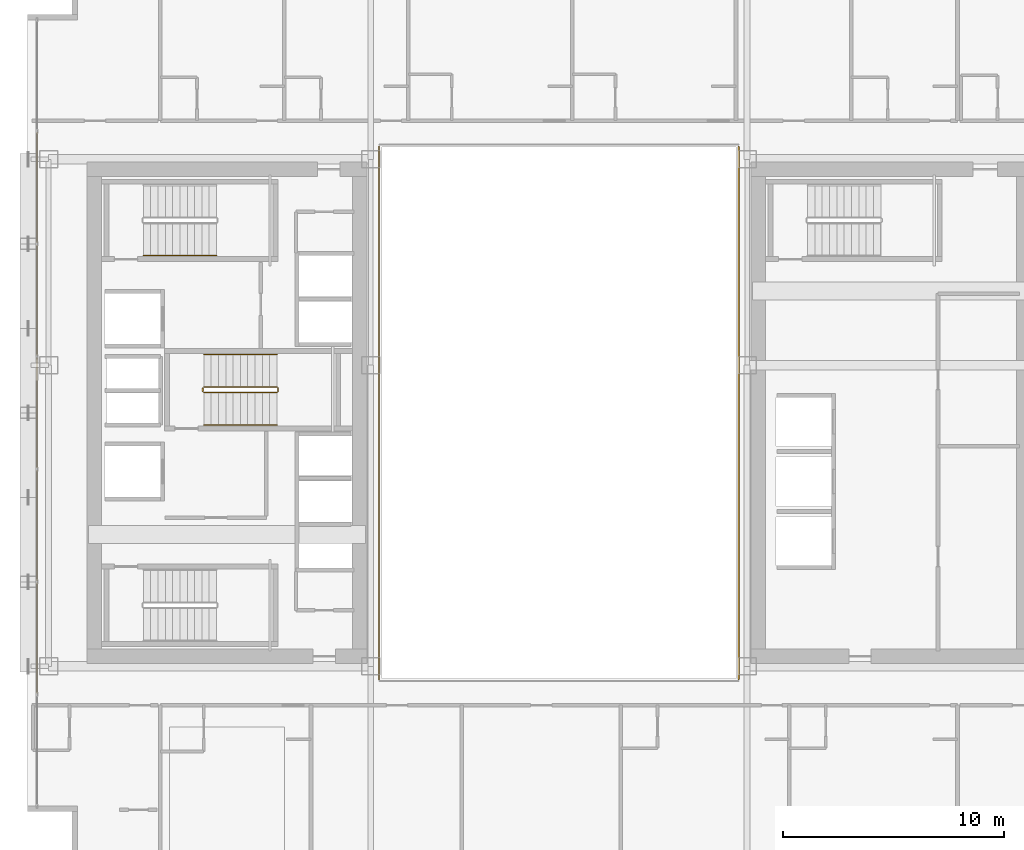
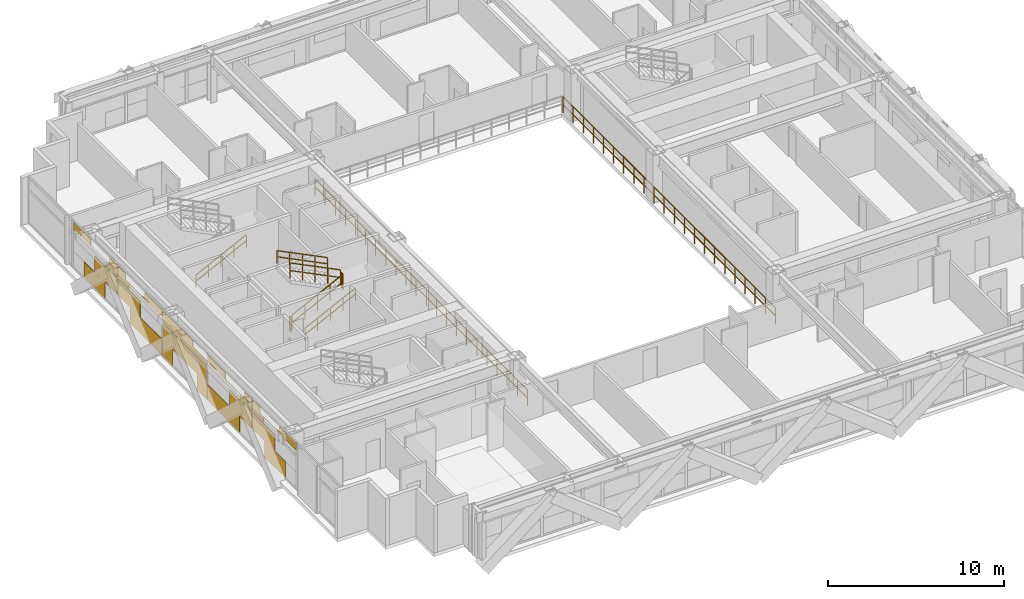
# One storey, part 34 of 36: 9 railings, 1 covering.
"""IFC4 building model written with IfcOpenShell, lengths in metres."""

import ifcopenshell
import ifcopenshell.guid

model = None  # the IFC model being written
_history = None  # IfcOwnerHistory: only IFC2X3 demands one
_inside = {}  # id of a spatial element -> (the spatial element, [elements in it])
_under = {}  # id of a project, library or spatial element -> (it, [spatial elements below it])
_declared = {}  # id of a project -> (the project, [libraries it declares])
_typed = {}  # id of a type object -> (the type object, [elements of that type])
_made_of = {}  # id of a material, layer set ... -> (it, [elements and type objects made of it])


def new_model(schema):
    """Start an empty IFC model of exactly this schema.

    Asked for "IFC4X3", IfcOpenShell would pick the latest addendum, in which some entities
    have other attributes; the version numbers below select the first issue.
    IFC2X3 requires an IfcOwnerHistory on every rooted entity: one is made here for all.
    """
    global model, _history
    if schema == "IFC4X3":
        model = ifcopenshell.file(schema_version=(4, 3, 0, 0))
    else:
        model = ifcopenshell.file(schema=schema)
    _inside.clear()
    _under.clear()
    _declared.clear()
    _typed.clear()
    _made_of.clear()
    _history = None
    if model.schema == "IFC2X3":
        org = make("IfcOrganization", Name="unknown")
        user = make(
            "IfcPersonAndOrganization",
            ThePerson=make("IfcPerson", FamilyName="unknown"),
            TheOrganization=org,
        )
        app = make(
            "IfcApplication",
            ApplicationDeveloper=org,
            Version="unknown",
            ApplicationFullName="unknown",
            ApplicationIdentifier="unknown",
        )
        _history = make(
            "IfcOwnerHistory",
            OwningUser=user,
            OwningApplication=app,
            ChangeAction="ADDED",
            CreationDate=0,
        )
    return model


def make(cls, **values):
    """One entity of the class cls with the attributes given. An attribute that is None is left unset."""
    return model.create_entity(
        cls, **{name: value for name, value in values.items() if value is not None}
    )


def rooted(cls, **values):
    """An entity with a GlobalId (a new one), such as an element, a storey or a relation."""
    return make(cls, GlobalId=ifcopenshell.guid.new(), OwnerHistory=_history, **values)


def si_unit(unit_type, name, prefix=None):
    """IfcSIUnit, for example si_unit("LENGTHUNIT", "METRE", prefix="MILLI")."""
    return make("IfcSIUnit", UnitType=unit_type, Prefix=prefix, Name=name)


def assignment(units):
    """IfcUnitAssignment: the units of a project."""
    return None if units is None else make("IfcUnitAssignment", Units=units)


def point(xyz):
    """IfcCartesianPoint."""
    return None if xyz is None else make("IfcCartesianPoint", Coordinates=xyz)


def direction(xyz):
    """IfcDirection."""
    return None if xyz is None else make("IfcDirection", DirectionRatios=xyz)


def frame(location, z_axis=None, x_axis=None):
    """IfcAxis2Placement3D, a coordinate frame: its origin and axes. An axis left out is left unset."""
    return make(
        "IfcAxis2Placement3D",
        Location=point(location),
        Axis=direction(z_axis),
        RefDirection=direction(x_axis),
    )


def frame_2d(location, x_axis=None):
    """IfcAxis2Placement2D, a coordinate frame in the plane: its origin and x axis."""
    return make(
        "IfcAxis2Placement2D", Location=point(location), RefDirection=direction(x_axis)
    )


def origin():
    """The frame at (0, 0, 0) with its axes left unset."""
    return frame((0.0, 0.0, 0.0))


def origin_2d():
    """The frame at (0, 0) in the plane with its x axis left unset."""
    return frame_2d((0.0, 0.0))


def place(relative_to, where):
    """IfcLocalPlacement: puts the frame where relative to a parent placement (None: the world)."""
    return make(
        "IfcLocalPlacement", PlacementRelTo=relative_to, RelativePlacement=where
    )


def context(
    kind, dimensions, precision=None, world=None, true_north=None, identifier=None
):
    """IfcGeometricRepresentationContext, for example the 3D "Model" context."""
    return make(
        "IfcGeometricRepresentationContext",
        ContextIdentifier=identifier,
        ContextType=kind,
        CoordinateSpaceDimension=dimensions,
        Precision=precision,
        WorldCoordinateSystem=world,
        TrueNorth=true_north,
    )


def subcontext(parent, identifier, kind, view, scale=None):
    """IfcGeometricRepresentationSubContext, for example "Body" below "Model"."""
    return make(
        "IfcGeometricRepresentationSubContext",
        ContextIdentifier=identifier,
        ContextType=kind,
        ParentContext=parent,
        TargetScale=scale,
        TargetView=view,
    )


def project(units=None, contexts=None):
    """IfcProject with its units and contexts."""
    return rooted(
        "IfcProject",
        Name="project",
        RepresentationContexts=contexts,
        UnitsInContext=assignment(units),
    )


def spatial(cls, under=None, at=None, **own):
    """A site, building, storey or space (cls), placed at a placement, below another one or the project."""
    s = rooted(cls, ObjectPlacement=at, **own)
    if under is not None:
        _under.setdefault(under.id(), (under, []))[1].append(s)
    return s


def profile(cls, at=None, kind="AREA", **sizes):
    """A parametric profile (cls). Its sizes go by their IFC names, for example OverallWidth=200.0."""
    return make(cls, ProfileType=kind, Position=at, **sizes)


def rectangle(**sizes):
    """IfcRectangleProfileDef."""
    return profile("IfcRectangleProfileDef", **sizes)


def extrude(swept, where, along, depth):
    """IfcExtrudedAreaSolid: the profile swept, set in the frame where, extruded along a direction by depth."""
    return make(
        "IfcExtrudedAreaSolid",
        SweptArea=swept,
        Position=where,
        ExtrudedDirection=direction(along),
        Depth=depth,
    )


def shape(context_of_items, identifier, shape_type, items):
    """IfcShapeRepresentation: the items that make up one representation, for example the "Body"."""
    return make(
        "IfcShapeRepresentation",
        ContextOfItems=context_of_items,
        RepresentationIdentifier=identifier,
        RepresentationType=shape_type,
        Items=items,
    )


def material(Name=None, Category=None):
    """IfcMaterial."""
    return make("IfcMaterial", Name=Name, Category=Category)


def layer(
    of_material, thickness, ventilated=None, Name=None, Category=None, Priority=None
):
    """IfcMaterialLayer: one layer of a wall or slab, of a material (None: an air gap)."""
    return make(
        "IfcMaterialLayer",
        Material=of_material,
        LayerThickness=thickness,
        IsVentilated=ventilated,
        Name=Name,
        Category=Category,
        Priority=Priority,
    )


def layer_set(layers, Name=None):
    """IfcMaterialLayerSet."""
    return make("IfcMaterialLayerSet", MaterialLayers=layers, LayerSetName=Name)


def made_of(thing, what):
    """Note that an element or type object is made of a material, layer set ...; save() writes the relation."""
    if what is not None:
        _made_of.setdefault(what.id(), (what, []))[1].append(thing)
    return thing


def type_object(cls, material=None, **own):
    """A type object (cls), such as IfcWallType, which elements share."""
    return made_of(rooted(cls, **own), material)


def element(
    cls,
    number,
    at=None,
    inside=None,
    cuts=None,
    type_object=None,
    material=None,
    context=None,
    identifier="Body",
    shape_type=None,
    held_by="IfcProductDefinitionShape",
    body=None,
    shapes=None,
    **own,
):
    """One element of the class cls, such as IfcWall. Its Tag is "e" and its number.

    at: its placement. inside: the storey or other place that contains it. cuts: it is an
    opening in that element (IfcRelVoidsElement). A single representation is given by context,
    identifier, shape_type and body (its items); several are given by shapes. held_by: the class
    of the entity that holds the representations. save() writes the other relations.
    """
    e = rooted(cls, Tag="e%d" % number, ObjectPlacement=at, **own)
    if body is not None:
        shapes = [shape(context, identifier, shape_type, body)]
    if shapes is not None:
        e.Representation = make(held_by, Representations=shapes)
    if inside is not None:
        _inside.setdefault(inside.id(), (inside, []))[1].append(e)
    if cuts is not None:
        rooted(
            "IfcRelVoidsElement", RelatingBuildingElement=cuts, RelatedOpeningElement=e
        )
    if type_object is not None:
        _typed.setdefault(type_object.id(), (type_object, []))[1].append(e)
    return made_of(e, material)


def aggregate(whole, parts):
    """IfcRelAggregates: a whole, such as a stair, and the parts it consists of."""
    return rooted("IfcRelAggregates", RelatingObject=whole, RelatedObjects=parts)


def save(model, path):
    """Write the relations noted so far, then the file.

    IfcRelAggregates (storeys below a building ...), IfcRelContainedInSpatialStructure (elements
    in a storey), IfcRelDefinesByType, IfcRelAssociatesMaterial and IfcRelDeclares: one each for
    every whole, place, type object, material and project.
    """
    for whole, parts in _under.values():
        aggregate(whole, parts)
    for where, things in _inside.values():
        rooted(
            "IfcRelContainedInSpatialStructure",
            RelatedElements=things,
            RelatingStructure=where,
        )
    for kind, things in _typed.values():
        rooted("IfcRelDefinesByType", RelatedObjects=things, RelatingType=kind)
    for what, things in _made_of.values():
        rooted("IfcRelAssociatesMaterial", RelatedObjects=things, RelatingMaterial=what)
    for by, libraries in _declared.values():
        rooted("IfcRelDeclares", RelatingContext=by, RelatedDefinitions=libraries)
    model.write(path)


model = new_model("IFC4")

# Units and contexts
model_context = context("Model", 3, precision=1e-05, world=origin(), true_north=direction((0.0, 1.0)))
body_context = subcontext(model_context, "Body", "Model", "MODEL_VIEW")
ifc_project = project(units=[si_unit("LENGTHUNIT", "METRE"), si_unit("AREAUNIT", "SQUARE_METRE"), si_unit("VOLUMEUNIT", "CUBIC_METRE"), si_unit("PLANEANGLEUNIT", "RADIAN"), si_unit("MASSUNIT", "GRAM", prefix="KILO")], contexts=[model_context])

# Site, building, storey
site_placement = place(None, origin())
site = spatial("IfcSite", under=ifc_project, at=site_placement, CompositionType="ELEMENT")
building_placement = place(site_placement, origin())
building = spatial("IfcBuilding", under=site, at=building_placement, Name="Ocotamira Hotel", CompositionType="ELEMENT")
storey_placement = place(building_placement, frame((0.0, 0.0, 147.60009765625)))
storey = spatial("IfcBuildingStorey", under=building, at=storey_placement, Name="L37", CompositionType="ELEMENT", Elevation=147.60009765625)

# Covering
ifc_material_1 = material(Name="Insulated pale-metal aluminium spandrel panel", Category="aluminium")
ifc_layer = layer(ifc_material_1, 0.044921875)
ifc_layer_set = layer_set([ifc_layer], Name="Insulated pale-metal aluminium spandrel panel")
covering_type = type_object("IfcCoveringType", Name="COV-INFILL-45", PredefinedType="CLADDING", material=ifc_layer_set)
covering_placement = place(storey_placement, origin())
element("IfcCovering", 1, at=covering_placement, inside=storey, type_object=covering_type, Name="L37 Curtain Wall Infill CW-3 CW-L37-W", PredefinedType="CLADDING", context=body_context, shape_type="SweptSolid", body=[
    extrude(rectangle(XDim=2.39208984375, YDim=0.044921875, at=origin_2d()), frame((8.419921875, 15.76904296875, 0.075439453125), z_axis=(0.0, 0.0, 1.0), x_axis=(0.0, 1.0, 0.0)), (0.0, 0.0, 1.0), 1.11767578125),
    extrude(rectangle(XDim=2.544921875, YDim=0.044921875, at=origin_2d()), frame((8.419921875, 17.05859375, 1.19384765625), z_axis=(0.0, 0.0, 1.0), x_axis=(0.0, 1.0, 0.0)), (0.0, 0.0, 1.0), 1.117919921875),
    extrude(rectangle(XDim=5.004638671875, YDim=0.044921875, at=origin_2d()), frame((8.419921875, 15.82861328125, 2.722900390625), z_axis=(0.0, 0.0, 1.0), x_axis=(0.0, 1.0, 0.0)), (0.0, 0.0, 1.0), 0.029296875),
    extrude(rectangle(XDim=1.989013671875, YDim=0.044921875, at=origin_2d()), frame((8.419921875, 14.32080078125, 2.75341796875), z_axis=(0.0, 0.0, 1.0), x_axis=(0.0, 1.0, 0.0)), (0.0, 0.0, 1.0), 0.451171875),
    extrude(rectangle(XDim=1.25048828125, YDim=0.044921875, at=origin_2d()), frame((8.419921875, 17.705810546875, 2.387939453125), z_axis=(0.0, 0.0, 1.0), x_axis=(0.0, 1.0, 0.0)), (0.0, 0.0, 1.0), 0.333984375),
    extrude(rectangle(XDim=0.854248046875, YDim=0.044921875, at=origin_2d()), frame((8.419921875, 17.90380859375, 2.75341796875), z_axis=(0.0, 0.0, 1.0), x_axis=(0.0, 1.0, 0.0)), (0.0, 0.0, 1.0), 0.451171875),
    extrude(rectangle(XDim=2.53515625, YDim=0.044921875, at=origin_2d()), frame((8.419921875, 19.679443359375, 1.19384765625), z_axis=(0.0, 0.0, 1.0), x_axis=(0.0, 1.0, 0.0)), (0.0, 0.0, 1.0), 1.117919921875),
    extrude(rectangle(XDim=3.6484375, YDim=0.044921875, at=origin_2d()), frame((8.419921875, 21.59228515625, 0.075439453125), z_axis=(0.0, 0.0, 1.0), x_axis=(0.0, 1.0, 0.0)), (0.0, 0.0, 1.0), 1.11767578125),
    extrude(rectangle(XDim=1.24072265625, YDim=0.044921875, at=origin_2d()), frame((8.419921875, 19.0322265625, 2.387939453125), z_axis=(0.0, 0.0, 1.0), x_axis=(0.0, 1.0, 0.0)), (0.0, 0.0, 1.0), 0.333984375),
    extrude(rectangle(XDim=5.004638671875, YDim=0.044921875, at=origin_2d()), frame((8.419921875, 20.914306640625, 2.722900390625), z_axis=(0.0, 0.0, 1.0), x_axis=(0.0, 1.0, 0.0)), (0.0, 0.0, 1.0), 0.029296875),
    extrude(rectangle(XDim=0.844482421875, YDim=0.044921875, at=origin_2d()), frame((8.419921875, 18.834228515625, 2.75341796875), z_axis=(0.0, 0.0, 1.0), x_axis=(0.0, 1.0, 0.0)), (0.0, 0.0, 1.0), 0.451171875),
    extrude(rectangle(XDim=1.99853515625, YDim=0.044921875, at=origin_2d()), frame((8.419921875, 22.417236328125, 2.75341796875), z_axis=(0.0, 0.0, 1.0), x_axis=(0.0, 1.0, 0.0)), (0.0, 0.0, 1.0), 0.451171875),
    extrude(rectangle(XDim=1.100830078125, YDim=0.044921875, at=origin_2d()), frame((8.419921875, 24.048095703125, 0.075439453125), z_axis=(0.0, 0.0, 1.0), x_axis=(0.0, 1.0, 0.0)), (0.0, 0.0, 1.0), 1.11767578125),
    extrude(rectangle(XDim=5.004638671875, YDim=0.044921875, at=origin_2d()), frame((8.419921875, 26.0, 1.19384765625), z_axis=(0.0, 0.0, 1.0), x_axis=(0.0, 1.0, 0.0)), (0.0, 0.0, 1.0), 1.117919921875),
    extrude(rectangle(XDim=1.100830078125, YDim=0.044921875, at=origin_2d()), frame((8.419921875, 27.951904296875, 0.075439453125), z_axis=(0.0, 0.0, 1.0), x_axis=(0.0, 1.0, 0.0)), (0.0, 0.0, 1.0), 1.11767578125),
    extrude(rectangle(XDim=5.004638671875, YDim=0.044921875, at=origin_2d()), frame((8.419921875, 26.0, 2.3876953125), z_axis=(0.0, 0.0, 1.0), x_axis=(0.0, 1.0, 0.0)), (0.0, 0.0, 1.0), 0.364501953125),
    extrude(rectangle(XDim=3.392333984375, YDim=0.044921875, at=origin_2d()), frame((8.419921875, 26.80615234375, 2.75341796875), z_axis=(0.0, 0.0, 1.0), x_axis=(0.0, 1.0, 0.0)), (0.0, 0.0, 1.0), 0.451171875),
    extrude(rectangle(XDim=3.6484375, YDim=0.044921875, at=origin_2d()), frame((8.419921875, 30.40771484375, 0.075439453125), z_axis=(0.0, 0.0, 1.0), x_axis=(0.0, 1.0, 0.0)), (0.0, 0.0, 1.0), 1.11767578125),
    extrude(rectangle(XDim=2.53515625, YDim=0.044921875, at=origin_2d()), frame((8.419921875, 32.320556640625, 1.19384765625), z_axis=(0.0, 0.0, 1.0), x_axis=(0.0, 1.0, 0.0)), (0.0, 0.0, 1.0), 1.117919921875),
    extrude(rectangle(XDim=5.004638671875, YDim=0.044921875, at=origin_2d()), frame((8.419921875, 31.085693359375, 2.722900390625), z_axis=(0.0, 0.0, 1.0), x_axis=(0.0, 1.0, 0.0)), (0.0, 0.0, 1.0), 0.029296875),
    extrude(rectangle(XDim=1.99853515625, YDim=0.044921875, at=origin_2d()), frame((8.419921875, 29.582763671875, 2.75341796875), z_axis=(0.0, 0.0, 1.0), x_axis=(0.0, 1.0, 0.0)), (0.0, 0.0, 1.0), 0.451171875),
    extrude(rectangle(XDim=1.24072265625, YDim=0.044921875, at=origin_2d()), frame((8.419921875, 32.9677734375, 2.387939453125), z_axis=(0.0, 0.0, 1.0), x_axis=(0.0, 1.0, 0.0)), (0.0, 0.0, 1.0), 0.333984375),
    extrude(rectangle(XDim=0.844482421875, YDim=0.044921875, at=origin_2d()), frame((8.419921875, 33.165771484375, 2.75341796875), z_axis=(0.0, 0.0, 1.0), x_axis=(0.0, 1.0, 0.0)), (0.0, 0.0, 1.0), 0.451171875),
    extrude(rectangle(XDim=2.544921875, YDim=0.044921875, at=origin_2d()), frame((8.419921875, 34.94140625, 1.19384765625), z_axis=(0.0, 0.0, 1.0), x_axis=(0.0, 1.0, 0.0)), (0.0, 0.0, 1.0), 1.117919921875),
    extrude(rectangle(XDim=2.39208984375, YDim=0.044921875, at=origin_2d()), frame((8.419921875, 36.23095703125, 0.075439453125), z_axis=(0.0, 0.0, 1.0), x_axis=(0.0, 1.0, 0.0)), (0.0, 0.0, 1.0), 1.11767578125),
    extrude(rectangle(XDim=1.25048828125, YDim=0.044921875, at=origin_2d()), frame((8.419921875, 34.294189453125, 2.387939453125), z_axis=(0.0, 0.0, 1.0), x_axis=(0.0, 1.0, 0.0)), (0.0, 0.0, 1.0), 0.333984375),
    extrude(rectangle(XDim=5.004638671875, YDim=0.044921875, at=origin_2d()), frame((8.419921875, 36.17138671875, 2.722900390625), z_axis=(0.0, 0.0, 1.0), x_axis=(0.0, 1.0, 0.0)), (0.0, 0.0, 1.0), 0.029296875),
    extrude(rectangle(XDim=0.854248046875, YDim=0.044921875, at=origin_2d()), frame((8.419921875, 34.09619140625, 2.75341796875), z_axis=(0.0, 0.0, 1.0), x_axis=(0.0, 1.0, 0.0)), (0.0, 0.0, 1.0), 0.451171875),
    extrude(rectangle(XDim=1.989013671875, YDim=0.044921875, at=origin_2d()), frame((8.419921875, 37.67919921875, 2.75341796875), z_axis=(0.0, 0.0, 1.0), x_axis=(0.0, 1.0, 0.0)), (0.0, 0.0, 1.0), 0.451171875),
])

# Railings
ifc_material_2 = material(Name="Painted steel stair guardrail", Category="steel")
railing_type_1 = type_object("IfcRailingType", Name="RL-EDGE-1150", PredefinedType="GUARDRAIL", material=ifc_material_2)
railing_1_placement = place(storey_placement, frame((40.1201171875, 13.9599609375, 0.0)))
element("IfcRailing", 2, at=railing_1_placement, inside=storey, type_object=railing_type_1, Name="L37 Central Atrium Edge Guardrail E", PredefinedType="GUARDRAIL", context=body_context, shape_type="SweptSolid", body=[
    extrude(rectangle(XDim=0.048095703125, YDim=0.048095703125, at=origin_2d()), frame((0.0, 0.0, 1.1259765625), z_axis=(0.0, 1.0, 0.0), x_axis=(-1.0, 0.0, 0.0)), (0.0, 0.0, 1.0), 24.080078125),
    extrude(rectangle(XDim=0.048095703125, YDim=0.048095703125, at=origin_2d()), frame((0.0, 0.0, 0.574951171875), z_axis=(0.0, 1.0, 0.0), x_axis=(-1.0, 0.0, 0.0)), (0.0, 0.0, 1.0), 24.080078125),
    extrude(rectangle(XDim=0.0419921875, YDim=0.0419921875, at=origin_2d()), origin(), (0.0, 0.0, 1.0), 1.101806640625),
    extrude(rectangle(XDim=0.0419921875, YDim=0.0419921875, at=origin_2d()), frame((0.0, 1.146728515625, 0.0)), (0.0, 0.0, 1.0), 1.101806640625),
    extrude(rectangle(XDim=0.0419921875, YDim=0.0419921875, at=origin_2d()), frame((0.0, 2.29345703125, 0.0)), (0.0, 0.0, 1.0), 1.101806640625),
    extrude(rectangle(XDim=0.0419921875, YDim=0.0419921875, at=origin_2d()), frame((0.0, 3.43994140625, 0.0)), (0.0, 0.0, 1.0), 1.101806640625),
    extrude(rectangle(XDim=0.0419921875, YDim=0.0419921875, at=origin_2d()), frame((0.0, 4.586669921875, 0.0)), (0.0, 0.0, 1.0), 1.101806640625),
    extrude(rectangle(XDim=0.0419921875, YDim=0.0419921875, at=origin_2d()), frame((0.0, 5.7333984375, 0.0)), (0.0, 0.0, 1.0), 1.101806640625),
    extrude(rectangle(XDim=0.0419921875, YDim=0.0419921875, at=origin_2d()), frame((0.0, 6.880126953125, 0.0)), (0.0, 0.0, 1.0), 1.101806640625),
    extrude(rectangle(XDim=0.0419921875, YDim=0.0419921875, at=origin_2d()), frame((0.0, 8.026611328125, 0.0)), (0.0, 0.0, 1.0), 1.101806640625),
    extrude(rectangle(XDim=0.0419921875, YDim=0.0419921875, at=origin_2d()), frame((0.0, 9.17333984375, 0.0)), (0.0, 0.0, 1.0), 1.101806640625),
    extrude(rectangle(XDim=0.0419921875, YDim=0.0419921875, at=origin_2d()), frame((0.0, 10.320068359375, 0.0)), (0.0, 0.0, 1.0), 1.101806640625),
    extrude(rectangle(XDim=0.0419921875, YDim=0.0419921875, at=origin_2d()), frame((0.0, 11.466796875, 0.0)), (0.0, 0.0, 1.0), 1.101806640625),
    extrude(rectangle(XDim=0.0419921875, YDim=0.0419921875, at=origin_2d()), frame((0.0, 12.61328125, 0.0)), (0.0, 0.0, 1.0), 1.101806640625),
    extrude(rectangle(XDim=0.0419921875, YDim=0.0419921875, at=origin_2d()), frame((0.0, 13.760009765625, 0.0)), (0.0, 0.0, 1.0), 1.101806640625),
    extrude(rectangle(XDim=0.0419921875, YDim=0.0419921875, at=origin_2d()), frame((0.0, 14.90673828125, 0.0)), (0.0, 0.0, 1.0), 1.101806640625),
    extrude(rectangle(XDim=0.0419921875, YDim=0.0419921875, at=origin_2d()), frame((0.0, 16.053466796875, 0.0)), (0.0, 0.0, 1.0), 1.101806640625),
    extrude(rectangle(XDim=0.0419921875, YDim=0.0419921875, at=origin_2d()), frame((0.0, 17.199951171875, 0.0)), (0.0, 0.0, 1.0), 1.101806640625),
    extrude(rectangle(XDim=0.0419921875, YDim=0.0419921875, at=origin_2d()), frame((0.0, 18.3466796875, 0.0)), (0.0, 0.0, 1.0), 1.101806640625),
    extrude(rectangle(XDim=0.0419921875, YDim=0.0419921875, at=origin_2d()), frame((0.0, 19.493408203125, 0.0)), (0.0, 0.0, 1.0), 1.101806640625),
    extrude(rectangle(XDim=0.0419921875, YDim=0.0419921875, at=origin_2d()), frame((0.0, 20.64013671875, 0.0)), (0.0, 0.0, 1.0), 1.101806640625),
    extrude(rectangle(XDim=0.0419921875, YDim=0.0419921875, at=origin_2d()), frame((0.0, 21.78662109375, 0.0)), (0.0, 0.0, 1.0), 1.101806640625),
    extrude(rectangle(XDim=0.0419921875, YDim=0.0419921875, at=origin_2d()), frame((0.0, 22.933349609375, 0.0)), (0.0, 0.0, 1.0), 1.101806640625),
    extrude(rectangle(XDim=0.0419921875, YDim=0.0419921875, at=origin_2d()), frame((0.0, 24.080078125, 0.0)), (0.0, 0.0, 1.0), 1.101806640625),
])
railing_2_placement = place(storey_placement, frame((23.8798828125, 38.0400390625, 0.0)))
element("IfcRailing", 3, at=railing_2_placement, inside=storey, type_object=railing_type_1, Name="L37 Central Atrium Edge Guardrail W", PredefinedType="GUARDRAIL", context=body_context, shape_type="SweptSolid", body=[
    extrude(rectangle(XDim=0.048095703125, YDim=0.048095703125, at=origin_2d()), frame((0.0, 0.0, 1.1259765625), z_axis=(0.0, -1.0, 0.0), x_axis=(1.0, 0.0, 0.0)), (0.0, 0.0, 1.0), 24.080078125),
    extrude(rectangle(XDim=0.048095703125, YDim=0.048095703125, at=origin_2d()), frame((0.0, 0.0, 0.574951171875), z_axis=(0.0, -1.0, 0.0), x_axis=(1.0, 0.0, 0.0)), (0.0, 0.0, 1.0), 24.080078125),
    extrude(rectangle(XDim=0.0419921875, YDim=0.0419921875, at=origin_2d()), origin(), (0.0, 0.0, 1.0), 1.101806640625),
    extrude(rectangle(XDim=0.0419921875, YDim=0.0419921875, at=origin_2d()), frame((0.0, -1.146728515625, 0.0)), (0.0, 0.0, 1.0), 1.101806640625),
    extrude(rectangle(XDim=0.0419921875, YDim=0.0419921875, at=origin_2d()), frame((0.0, -2.29345703125, 0.0)), (0.0, 0.0, 1.0), 1.101806640625),
    extrude(rectangle(XDim=0.0419921875, YDim=0.0419921875, at=origin_2d()), frame((0.0, -3.43994140625, 0.0)), (0.0, 0.0, 1.0), 1.101806640625),
    extrude(rectangle(XDim=0.0419921875, YDim=0.0419921875, at=origin_2d()), frame((0.0, -4.586669921875, 0.0)), (0.0, 0.0, 1.0), 1.101806640625),
    extrude(rectangle(XDim=0.0419921875, YDim=0.0419921875, at=origin_2d()), frame((0.0, -5.7333984375, 0.0)), (0.0, 0.0, 1.0), 1.101806640625),
    extrude(rectangle(XDim=0.0419921875, YDim=0.0419921875, at=origin_2d()), frame((0.0, -6.880126953125, 0.0)), (0.0, 0.0, 1.0), 1.101806640625),
    extrude(rectangle(XDim=0.0419921875, YDim=0.0419921875, at=origin_2d()), frame((0.0, -8.026611328125, 0.0)), (0.0, 0.0, 1.0), 1.101806640625),
    extrude(rectangle(XDim=0.0419921875, YDim=0.0419921875, at=origin_2d()), frame((0.0, -9.17333984375, 0.0)), (0.0, 0.0, 1.0), 1.101806640625),
    extrude(rectangle(XDim=0.0419921875, YDim=0.0419921875, at=origin_2d()), frame((0.0, -10.320068359375, 0.0)), (0.0, 0.0, 1.0), 1.101806640625),
    extrude(rectangle(XDim=0.0419921875, YDim=0.0419921875, at=origin_2d()), frame((0.0, -11.466796875, 0.0)), (0.0, 0.0, 1.0), 1.101806640625),
    extrude(rectangle(XDim=0.0419921875, YDim=0.0419921875, at=origin_2d()), frame((0.0, -12.61328125, 0.0)), (0.0, 0.0, 1.0), 1.101806640625),
    extrude(rectangle(XDim=0.0419921875, YDim=0.0419921875, at=origin_2d()), frame((0.0, -13.760009765625, 0.0)), (0.0, 0.0, 1.0), 1.101806640625),
    extrude(rectangle(XDim=0.0419921875, YDim=0.0419921875, at=origin_2d()), frame((0.0, -14.90673828125, 0.0)), (0.0, 0.0, 1.0), 1.101806640625),
    extrude(rectangle(XDim=0.0419921875, YDim=0.0419921875, at=origin_2d()), frame((0.0, -16.053466796875, 0.0)), (0.0, 0.0, 1.0), 1.101806640625),
    extrude(rectangle(XDim=0.0419921875, YDim=0.0419921875, at=origin_2d()), frame((0.0, -17.199951171875, 0.0)), (0.0, 0.0, 1.0), 1.101806640625),
    extrude(rectangle(XDim=0.0419921875, YDim=0.0419921875, at=origin_2d()), frame((0.0, -18.3466796875, 0.0)), (0.0, 0.0, 1.0), 1.101806640625),
    extrude(rectangle(XDim=0.0419921875, YDim=0.0419921875, at=origin_2d()), frame((0.0, -19.493408203125, 0.0)), (0.0, 0.0, 1.0), 1.101806640625),
    extrude(rectangle(XDim=0.0419921875, YDim=0.0419921875, at=origin_2d()), frame((0.0, -20.64013671875, 0.0)), (0.0, 0.0, 1.0), 1.101806640625),
    extrude(rectangle(XDim=0.0419921875, YDim=0.0419921875, at=origin_2d()), frame((0.0, -21.78662109375, 0.0)), (0.0, 0.0, 1.0), 1.101806640625),
    extrude(rectangle(XDim=0.0419921875, YDim=0.0419921875, at=origin_2d()), frame((0.0, -22.933349609375, 0.0)), (0.0, 0.0, 1.0), 1.101806640625),
    extrude(rectangle(XDim=0.0419921875, YDim=0.0419921875, at=origin_2d()), frame((0.0, -24.080078125, 0.0)), (0.0, 0.0, 1.0), 1.101806640625),
])
ifc_material_3 = material(Name="Brushed stainless steel handrail", Category="steel")
railing_type_2 = type_object("IfcRailingType", Name="RL-HAND-900", PredefinedType="HANDRAIL", material=ifc_material_3)
for number, where, name in (
    (4, (13.22998046875, 33.10009765625, 0.3271484375), "L37 ST-2 stair handrail 1"),
    (5, (15.9599609375, 25.449951171875, 0.3271484375), "L37 ST-3 stair handrail 1"),
):
    element("IfcRailing", number, at=place(storey_placement, frame(where)), inside=storey, type_object=railing_type_2, Name=name, PredefinedType="HANDRAIL", context=body_context, shape_type="SweptSolid", body=[
        extrude(rectangle(XDim=0.048095703125, YDim=0.048095703125, at=origin_2d()), frame((0.0, 0.0, 0.8759765625), z_axis=(0.895893744519, 0.0, 0.4442683857), x_axis=(0.0, 1.0, 0.0)), (0.0, 0.0, 1.0), 3.68359375),
        extrude(rectangle(XDim=0.048095703125, YDim=0.048095703125, at=origin_2d()), frame((0.0, 0.0, 0.449951171875), z_axis=(0.895893744519, 0.0, 0.4442683857), x_axis=(0.0, 1.0, 0.0)), (0.0, 0.0, 1.0), 3.68359375),
        extrude(rectangle(XDim=0.0419921875, YDim=0.0419921875, at=origin_2d()), origin(), (0.0, 0.0, 1.0), 0.851806640625),
        extrude(rectangle(XDim=0.0419921875, YDim=0.0419921875, at=origin_2d()), frame((0.824951171875, 0.0, 0.4091796875)), (0.0, 0.0, 1.0), 0.851806640625),
        extrude(rectangle(XDim=0.0419921875, YDim=0.0419921875, at=origin_2d()), frame((1.64990234375, 0.0, 0.818359375)), (0.0, 0.0, 1.0), 0.851806640625),
        extrude(rectangle(XDim=0.0419921875, YDim=0.0419921875, at=origin_2d()), frame((2.47509765625, 0.0, 1.227294921875)), (0.0, 0.0, 1.0), 0.851806640625),
        extrude(rectangle(XDim=0.0419921875, YDim=0.0419921875, at=origin_2d()), frame((3.300048828125, 0.0, 1.636474609375)), (0.0, 0.0, 1.0), 0.851806640625),
    ])
railing_3_placement = place(storey_placement, frame((19.260009765625, 28.6298828125, 2.127197265625)))
element("IfcRailing", 6, at=railing_3_placement, inside=storey, type_object=railing_type_2, Name="L37 ST-3 stair handrail 2", PredefinedType="HANDRAIL", context=body_context, shape_type="SweptSolid", body=[
    extrude(rectangle(XDim=0.048095703125, YDim=0.048095703125, at=origin_2d()), frame((0.0, 0.0, 0.8759765625), z_axis=(-0.895920123917, 0.0, 0.444215186098), x_axis=(0.0, -1.0, 0.0)), (0.0, 0.0, 1.0), 3.683349609375),
    extrude(rectangle(XDim=0.048095703125, YDim=0.048095703125, at=origin_2d()), frame((0.0, 0.0, 0.449951171875), z_axis=(-0.895920123917, 0.0, 0.444215186098), x_axis=(0.0, -1.0, 0.0)), (0.0, 0.0, 1.0), 3.683349609375),
    extrude(rectangle(XDim=0.0419921875, YDim=0.0419921875, at=origin_2d()), origin(), (0.0, 0.0, 1.0), 0.851806640625),
    extrude(rectangle(XDim=0.0419921875, YDim=0.0419921875, at=origin_2d()), frame((-0.824951171875, 0.0, 0.4091796875)), (0.0, 0.0, 1.0), 0.851806640625),
    extrude(rectangle(XDim=0.0419921875, YDim=0.0419921875, at=origin_2d()), frame((-1.64990234375, 0.0, 0.818115234375)), (0.0, 0.0, 1.0), 0.851806640625),
    extrude(rectangle(XDim=0.0419921875, YDim=0.0419921875, at=origin_2d()), frame((-2.47509765625, 0.0, 1.22705078125)), (0.0, 0.0, 1.0), 0.851806640625),
    extrude(rectangle(XDim=0.0419921875, YDim=0.0419921875, at=origin_2d()), frame((-3.300048828125, 0.0, 1.63623046875)), (0.0, 0.0, 1.0), 0.851806640625),
])
railing_type_3 = type_object("IfcRailingType", Name="RL-STAIR-1100", PredefinedType="GUARDRAIL", material=ifc_material_2)
railing_4_placement = place(storey_placement, frame((15.9599609375, 26.909912109375, 0.16357421875)))
element("IfcRailing", 7, at=railing_4_placement, inside=storey, type_object=railing_type_3, Name="L37 ST-3 stair guard 1", PredefinedType="GUARDRAIL", context=body_context, shape_type="SweptSolid", body=[
    extrude(rectangle(XDim=0.048095703125, YDim=0.048095703125, at=origin_2d()), frame((0.0, 0.0, 1.076171875), z_axis=(0.895920123917, 0.0, 0.444215186098), x_axis=(0.0, 1.0, 0.0)), (0.0, 0.0, 1.0), 3.683349609375),
    extrude(rectangle(XDim=0.048095703125, YDim=0.048095703125, at=origin_2d()), frame((0.0, 0.0, 0.550048828125), z_axis=(0.895920123917, 0.0, 0.444215186098), x_axis=(0.0, 1.0, 0.0)), (0.0, 0.0, 1.0), 3.683349609375),
    extrude(rectangle(XDim=0.0419921875, YDim=0.0419921875, at=origin_2d()), origin(), (0.0, 0.0, 1.0), 1.052001953125),
    extrude(rectangle(XDim=0.0419921875, YDim=0.0419921875, at=origin_2d()), frame((0.824951171875, 0.0, 0.4091796875)), (0.0, 0.0, 1.0), 1.052001953125),
    extrude(rectangle(XDim=0.0419921875, YDim=0.0419921875, at=origin_2d()), frame((1.64990234375, 0.0, 0.818115234375)), (0.0, 0.0, 1.0), 1.052001953125),
    extrude(rectangle(XDim=0.0419921875, YDim=0.0419921875, at=origin_2d()), frame((2.47509765625, 0.0, 1.22705078125)), (0.0, 0.0, 1.0), 1.052001953125),
    extrude(rectangle(XDim=0.0419921875, YDim=0.0419921875, at=origin_2d()), frame((3.300048828125, 0.0, 1.63623046875)), (0.0, 0.0, 1.0), 1.052001953125),
])
railing_5_placement = place(storey_placement, frame((19.31005859375, 26.9599609375, 1.7998046875)))
element("IfcRailing", 8, at=railing_5_placement, inside=storey, type_object=railing_type_3, Name="L37 ST-3 stair guard 2", PredefinedType="GUARDRAIL", context=body_context, shape_type="SweptSolid", body=[
    extrude(rectangle(XDim=0.048095703125, YDim=0.048095703125, at=origin_2d()), frame((0.0, 0.0, 1.076171875), z_axis=(0.0, 1.0, 0.0), x_axis=(-1.0, 0.0, 0.0)), (0.0, 0.0, 1.0), 0.16015625),
    extrude(rectangle(XDim=0.048095703125, YDim=0.048095703125, at=origin_2d()), frame((0.0, 0.0, 0.550048828125), z_axis=(0.0, 1.0, 0.0), x_axis=(-1.0, 0.0, 0.0)), (0.0, 0.0, 1.0), 0.16015625),
    extrude(rectangle(XDim=0.0419921875, YDim=0.0419921875, at=origin_2d()), origin(), (0.0, 0.0, 1.0), 1.052001953125),
    extrude(rectangle(XDim=0.0419921875, YDim=0.0419921875, at=origin_2d()), frame((0.0, 0.16015625, 0.0)), (0.0, 0.0, 1.0), 1.052001953125),
])
railing_6_placement = place(storey_placement, frame((19.260009765625, 27.169921875, 1.963623046875)))
element("IfcRailing", 9, at=railing_6_placement, inside=storey, type_object=railing_type_3, Name="L37 ST-3 stair guard 3", PredefinedType="GUARDRAIL", context=body_context, shape_type="SweptSolid", body=[
    extrude(rectangle(XDim=0.048095703125, YDim=0.048095703125, at=origin_2d()), frame((0.0, 0.0, 1.076171875), z_axis=(-0.895920123917, 0.0, 0.444215186098), x_axis=(0.0, -1.0, 0.0)), (0.0, 0.0, 1.0), 3.683349609375),
    extrude(rectangle(XDim=0.048095703125, YDim=0.048095703125, at=origin_2d()), frame((0.0, 0.0, 0.550048828125), z_axis=(-0.895920123917, 0.0, 0.444215186098), x_axis=(0.0, -1.0, 0.0)), (0.0, 0.0, 1.0), 3.683349609375),
    extrude(rectangle(XDim=0.0419921875, YDim=0.0419921875, at=origin_2d()), origin(), (0.0, 0.0, 1.0), 1.052001953125),
    extrude(rectangle(XDim=0.0419921875, YDim=0.0419921875, at=origin_2d()), frame((-0.824951171875, 0.0, 0.4091796875)), (0.0, 0.0, 1.0), 1.052001953125),
    extrude(rectangle(XDim=0.0419921875, YDim=0.0419921875, at=origin_2d()), frame((-1.64990234375, 0.0, 0.818115234375)), (0.0, 0.0, 1.0), 1.052001953125),
    extrude(rectangle(XDim=0.0419921875, YDim=0.0419921875, at=origin_2d()), frame((-2.47509765625, 0.0, 1.22705078125)), (0.0, 0.0, 1.0), 1.052001953125),
    extrude(rectangle(XDim=0.0419921875, YDim=0.0419921875, at=origin_2d()), frame((-3.300048828125, 0.0, 1.63623046875)), (0.0, 0.0, 1.0), 1.052001953125),
])
railing_7_placement = place(storey_placement, frame((15.909912109375, 26.9599609375, 0.0)))
element("IfcRailing", 10, at=railing_7_placement, inside=storey, type_object=railing_type_3, Name="L37 ST-3 stair guard 4", PredefinedType="GUARDRAIL", context=body_context, shape_type="SweptSolid", body=[
    extrude(rectangle(XDim=0.048095703125, YDim=0.048095703125, at=origin_2d()), frame((0.0, 0.0, 1.076171875), z_axis=(0.0, 1.0, 0.0), x_axis=(-1.0, 0.0, 0.0)), (0.0, 0.0, 1.0), 0.16015625),
    extrude(rectangle(XDim=0.048095703125, YDim=0.048095703125, at=origin_2d()), frame((0.0, 0.0, 0.550048828125), z_axis=(0.0, 1.0, 0.0), x_axis=(-1.0, 0.0, 0.0)), (0.0, 0.0, 1.0), 0.16015625),
    extrude(rectangle(XDim=0.0419921875, YDim=0.0419921875, at=origin_2d()), origin(), (0.0, 0.0, 1.0), 1.052001953125),
    extrude(rectangle(XDim=0.0419921875, YDim=0.0419921875, at=origin_2d()), frame((0.0, 0.16015625, 0.0)), (0.0, 0.0, 1.0), 1.052001953125),
])

save(model, "model.ifc")
